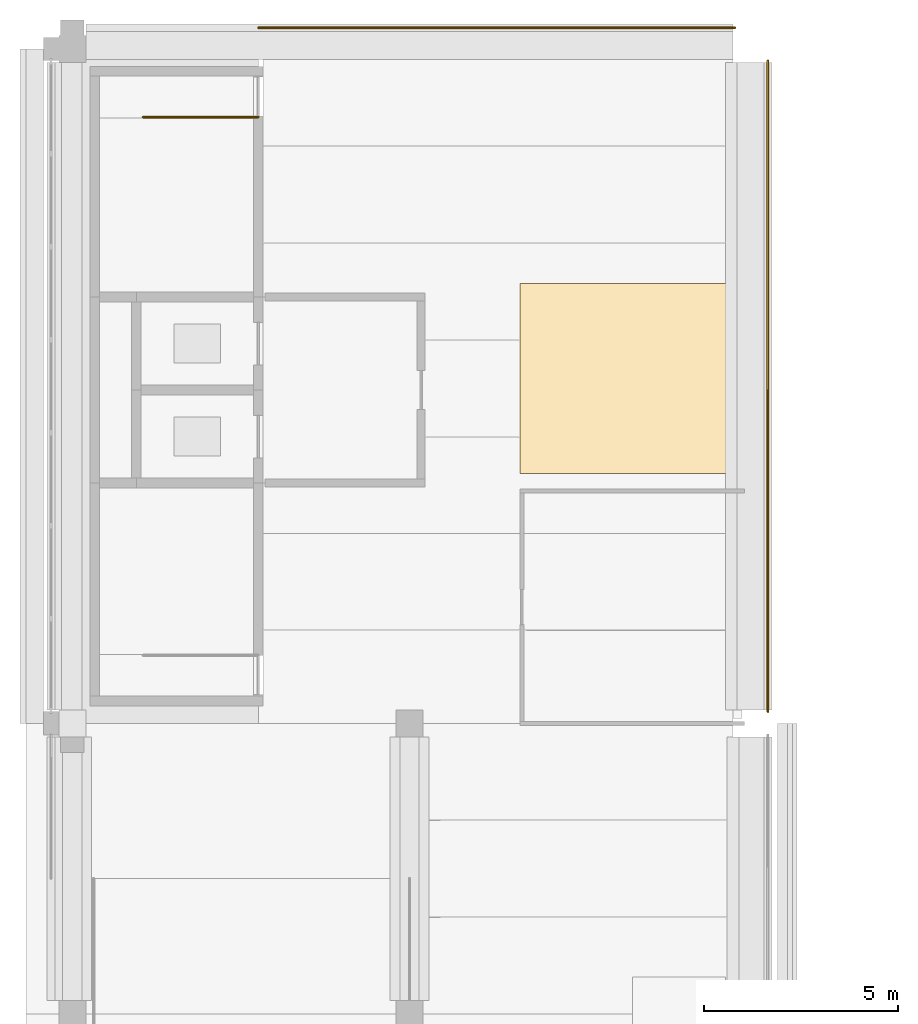
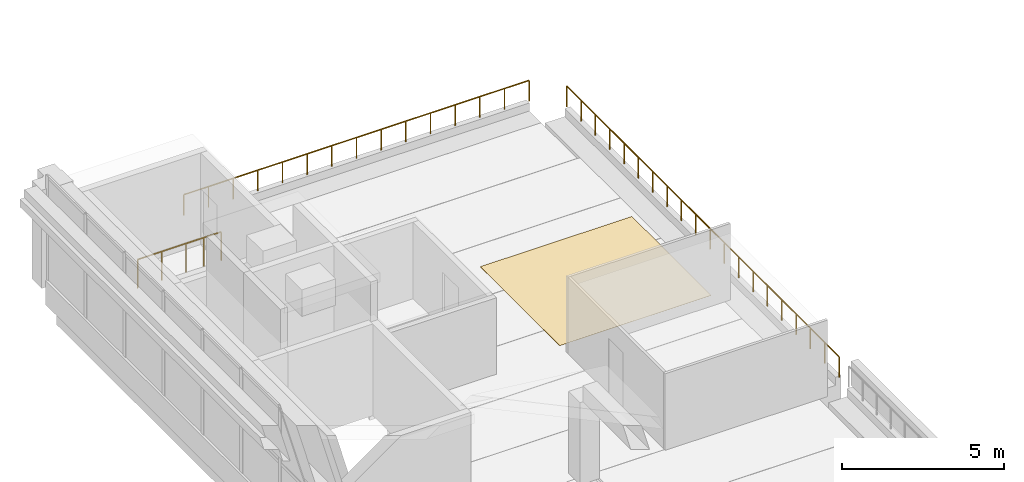
# One storey, part 13 of 17: 4 railings, 1 covering.
"""IFC4 building model written with IfcOpenShell, lengths in metres."""

from ifc_helpers import new_model, si_unit, direction, frame, origin, origin_2d, place, context, subcontext, project, spatial, polyline, circle, outline, extrude, material, layer, layer_set, type_object, element, save


model = new_model("IFC4")

# Units and contexts
model_context = context("Model", 3, precision=1e-05, world=origin(), true_north=direction((0.0, 1.0)))
body_context = subcontext(model_context, "Body", "Model", "MODEL_VIEW")
ifc_project = project(units=[si_unit("LENGTHUNIT", "METRE"), si_unit("AREAUNIT", "SQUARE_METRE"), si_unit("VOLUMEUNIT", "CUBIC_METRE"), si_unit("PLANEANGLEUNIT", "RADIAN"), si_unit("MASSUNIT", "GRAM", prefix="KILO")], contexts=[model_context])

# Site, building, storey
site_placement = place(None, origin())
site = spatial("IfcSite", under=ifc_project, at=site_placement, CompositionType="ELEMENT")
building_placement = place(site_placement, origin())
building = spatial("IfcBuilding", under=site, at=building_placement, Name="Cour d'Honneur Mobility Palace", CompositionType="ELEMENT")
storey_placement = place(building_placement, frame((0.0, 0.0, 34.10009765625)))
storey = spatial("IfcBuildingStorey", under=building, at=storey_placement, Name="L09", CompositionType="ELEMENT", Elevation=34.10009765625)

# Covering
ifc_material_1 = material(Name="Accessible bay marking paint")
ifc_layer = layer(ifc_material_1, 0.0048828125)
ifc_layer_set = layer_set([ifc_layer], Name="Accessible bay marking paint")
covering_type = type_object("IfcCoveringType", Name="Accessible parking bay marking", PredefinedType="FLOORING", material=ifc_layer_set)
covering_placement = place(storey_placement, origin())
element("IfcCovering", 1, at=covering_placement, inside=storey, type_object=covering_type, Name="Accessible parking bay marking L09 1", PredefinedType="FLOORING", context=body_context, shape_type="SweptSolid", body=[
    extrude(outline(polyline([(16.949951171875, 51.449951171875), (11.550048828125, 51.449951171875), (11.550048828125, 56.35009765625), (16.949951171875, 56.35009765625), (16.949951171875, 51.449951171875)])), origin(), (0.0, 0.0, 1.0), 0.0048828125),
])

# Railings
ifc_material_2 = material(Name="Painted steel", Category="steel")
railing_type_1 = type_object("IfcRailingType", Name="Balustrade", PredefinedType="BALUSTRADE", material=ifc_material_2)
railing_1_placement = place(storey_placement, frame((17.949951171875, 45.300048828125, 0.2998046875)))
element("IfcRailing", 2, at=railing_1_placement, inside=storey, type_object=railing_type_1, Name="Balustrade BAL-419", PredefinedType="BALUSTRADE", context=body_context, shape_type="SweptSolid", body=[
    extrude(circle(Radius=0.02392578125, at=origin_2d()), frame((0.0, 0.0, 0.77587890625), z_axis=(0.0, 1.0, 0.0), x_axis=(-1.0, 0.0, 0.0)), (0.0, 0.0, 1.0), 16.800048828125),
    extrude(circle(Radius=0.02099609375, at=origin_2d()), origin(), (0.0, 0.0, 1.0), 0.751953125),
    extrude(circle(Radius=0.02099609375, at=origin_2d()), frame((0.0, 0.88427734375, 0.0)), (0.0, 0.0, 1.0), 0.751953125),
    extrude(circle(Radius=0.02099609375, at=origin_2d()), frame((0.0, 1.768310546875, 0.0)), (0.0, 0.0, 1.0), 0.751953125),
    extrude(circle(Radius=0.02099609375, at=origin_2d()), frame((0.0, 2.652587890625, 0.0)), (0.0, 0.0, 1.0), 0.751953125),
    extrude(circle(Radius=0.02099609375, at=origin_2d()), frame((0.0, 3.536865234375, 0.0)), (0.0, 0.0, 1.0), 0.751953125),
    extrude(circle(Radius=0.02099609375, at=origin_2d()), frame((0.0, 4.421142578125, 0.0)), (0.0, 0.0, 1.0), 0.751953125),
    extrude(circle(Radius=0.02099609375, at=origin_2d()), frame((0.0, 5.30517578125, 0.0)), (0.0, 0.0, 1.0), 0.751953125),
    extrude(circle(Radius=0.02099609375, at=origin_2d()), frame((0.0, 6.189453125, 0.0)), (0.0, 0.0, 1.0), 0.751953125),
    extrude(circle(Radius=0.02099609375, at=origin_2d()), frame((0.0, 7.07373046875, 0.0)), (0.0, 0.0, 1.0), 0.751953125),
    extrude(circle(Radius=0.02099609375, at=origin_2d()), frame((0.0, 7.9580078125, 0.0)), (0.0, 0.0, 1.0), 0.751953125),
    extrude(circle(Radius=0.02099609375, at=origin_2d()), frame((0.0, 8.842041015625, 0.0)), (0.0, 0.0, 1.0), 0.751953125),
    extrude(circle(Radius=0.02099609375, at=origin_2d()), frame((0.0, 9.726318359375, 0.0)), (0.0, 0.0, 1.0), 0.751953125),
    extrude(circle(Radius=0.02099609375, at=origin_2d()), frame((0.0, 10.610595703125, 0.0)), (0.0, 0.0, 1.0), 0.751953125),
    extrude(circle(Radius=0.02099609375, at=origin_2d()), frame((0.0, 11.494873046875, 0.0)), (0.0, 0.0, 1.0), 0.751953125),
    extrude(circle(Radius=0.02099609375, at=origin_2d()), frame((0.0, 12.37890625, 0.0)), (0.0, 0.0, 1.0), 0.751953125),
    extrude(circle(Radius=0.02099609375, at=origin_2d()), frame((0.0, 13.26318359375, 0.0)), (0.0, 0.0, 1.0), 0.751953125),
    extrude(circle(Radius=0.02099609375, at=origin_2d()), frame((0.0, 14.1474609375, 0.0)), (0.0, 0.0, 1.0), 0.751953125),
    extrude(circle(Radius=0.02099609375, at=origin_2d()), frame((0.0, 15.03173828125, 0.0)), (0.0, 0.0, 1.0), 0.751953125),
    extrude(circle(Radius=0.02099609375, at=origin_2d()), frame((0.0, 15.915771484375, 0.0)), (0.0, 0.0, 1.0), 0.751953125),
    extrude(circle(Radius=0.02099609375, at=origin_2d()), frame((0.0, 16.800048828125, 0.0)), (0.0, 0.0, 1.0), 0.751953125),
])
railing_2_placement = place(storey_placement, frame((17.10009765625, 62.949951171875, 0.2998046875)))
element("IfcRailing", 3, at=railing_2_placement, inside=storey, type_object=railing_type_1, Name="Balustrade BAL-420", PredefinedType="BALUSTRADE", context=body_context, shape_type="SweptSolid", body=[
    extrude(circle(Radius=0.02392578125, at=origin_2d()), frame((0.0, 0.0, 0.77587890625), z_axis=(-1.0, 0.0, 0.0), x_axis=(0.0, -1.0, 0.0)), (0.0, 0.0, 1.0), 12.300048828125),
    extrude(circle(Radius=0.02099609375, at=origin_2d()), origin(), (0.0, 0.0, 1.0), 0.751953125),
    extrude(circle(Radius=0.02099609375, at=origin_2d()), frame((-0.878662109375, 0.0, 0.0)), (0.0, 0.0, 1.0), 0.751953125),
    extrude(circle(Radius=0.02099609375, at=origin_2d()), frame((-1.757080078125, 0.0, 0.0)), (0.0, 0.0, 1.0), 0.751953125),
    extrude(circle(Radius=0.02099609375, at=origin_2d()), frame((-2.6357421875, 0.0, 0.0)), (0.0, 0.0, 1.0), 0.751953125),
    extrude(circle(Radius=0.02099609375, at=origin_2d()), frame((-3.514404296875, 0.0, 0.0)), (0.0, 0.0, 1.0), 0.751953125),
    extrude(circle(Radius=0.02099609375, at=origin_2d()), frame((-4.392822265625, 0.0, 0.0)), (0.0, 0.0, 1.0), 0.751953125),
    extrude(circle(Radius=0.02099609375, at=origin_2d()), frame((-5.271484375, 0.0, 0.0)), (0.0, 0.0, 1.0), 0.751953125),
    extrude(circle(Radius=0.02099609375, at=origin_2d()), frame((-6.14990234375, 0.0, 0.0)), (0.0, 0.0, 1.0), 0.751953125),
    extrude(circle(Radius=0.02099609375, at=origin_2d()), frame((-7.028564453125, 0.0, 0.0)), (0.0, 0.0, 1.0), 0.751953125),
    extrude(circle(Radius=0.02099609375, at=origin_2d()), frame((-7.9072265625, 0.0, 0.0)), (0.0, 0.0, 1.0), 0.751953125),
    extrude(circle(Radius=0.02099609375, at=origin_2d()), frame((-8.78564453125, 0.0, 0.0)), (0.0, 0.0, 1.0), 0.751953125),
    extrude(circle(Radius=0.02099609375, at=origin_2d()), frame((-9.664306640625, 0.0, 0.0)), (0.0, 0.0, 1.0), 0.751953125),
    extrude(circle(Radius=0.02099609375, at=origin_2d()), frame((-10.54296875, 0.0, 0.0)), (0.0, 0.0, 1.0), 0.751953125),
    extrude(circle(Radius=0.02099609375, at=origin_2d()), frame((-11.42138671875, 0.0, 0.0)), (0.0, 0.0, 1.0), 0.751953125),
    extrude(circle(Radius=0.02099609375, at=origin_2d()), frame((-12.300048828125, 0.0, 0.0)), (0.0, 0.0, 1.0), 0.751953125),
])
ifc_material_3 = material(Name="Painted steel", Category="steel")
railing_type_2 = type_object("IfcRailingType", Name="Guardrail 1100", PredefinedType="GUARDRAIL", material=ifc_material_3)
railing_3_placement = place(storey_placement, frame((1.824951171875, 60.64501953125, 0.0)))
element("IfcRailing", 4, at=railing_3_placement, inside=storey, type_object=railing_type_2, Name="Guard ST-CW2", PredefinedType="GUARDRAIL", context=body_context, shape_type="SweptSolid", body=[
    extrude(circle(Radius=0.02490234375, at=origin_2d()), frame((0.0, 0.0, 1.0751953125), z_axis=(1.0, 0.0, 0.0), x_axis=(0.0, 1.0, 0.0)), (0.0, 0.0, 1.0), 1.72509765625),
    extrude(circle(Radius=0.02099609375, at=origin_2d()), origin(), (0.0, 0.0, 1.0), 1.050048828125),
    extrude(circle(Radius=0.02099609375, at=origin_2d()), frame((0.862548828125, 0.0, 0.0)), (0.0, 0.0, 1.0), 1.050048828125),
    extrude(circle(Radius=0.02099609375, at=origin_2d()), frame((1.72509765625, 0.0, 0.0)), (0.0, 0.0, 1.0), 1.050048828125),
])
railing_4_placement = place(storey_placement, frame((3.550048828125, 60.64501953125, 0.0)))
element("IfcRailing", 5, at=railing_4_placement, inside=storey, type_object=railing_type_2, Name="Guard ST-CW2 top landing edge", PredefinedType="GUARDRAIL", context=body_context, shape_type="SweptSolid", body=[
    extrude(circle(Radius=0.02490234375, at=origin_2d()), frame((0.0, 0.0, 1.0751953125), z_axis=(1.0, 0.0, 0.0), x_axis=(0.0, 1.0, 0.0)), (0.0, 0.0, 1.0), 1.25),
    extrude(circle(Radius=0.02099609375, at=origin_2d()), origin(), (0.0, 0.0, 1.0), 1.050048828125),
    extrude(circle(Radius=0.02099609375, at=origin_2d()), frame((0.625, 0.0, 0.0)), (0.0, 0.0, 1.0), 1.050048828125),
    extrude(circle(Radius=0.02099609375, at=origin_2d()), frame((1.25, 0.0, 0.0)), (0.0, 0.0, 1.0), 1.050048828125),
])

save(model, "model.ifc")
